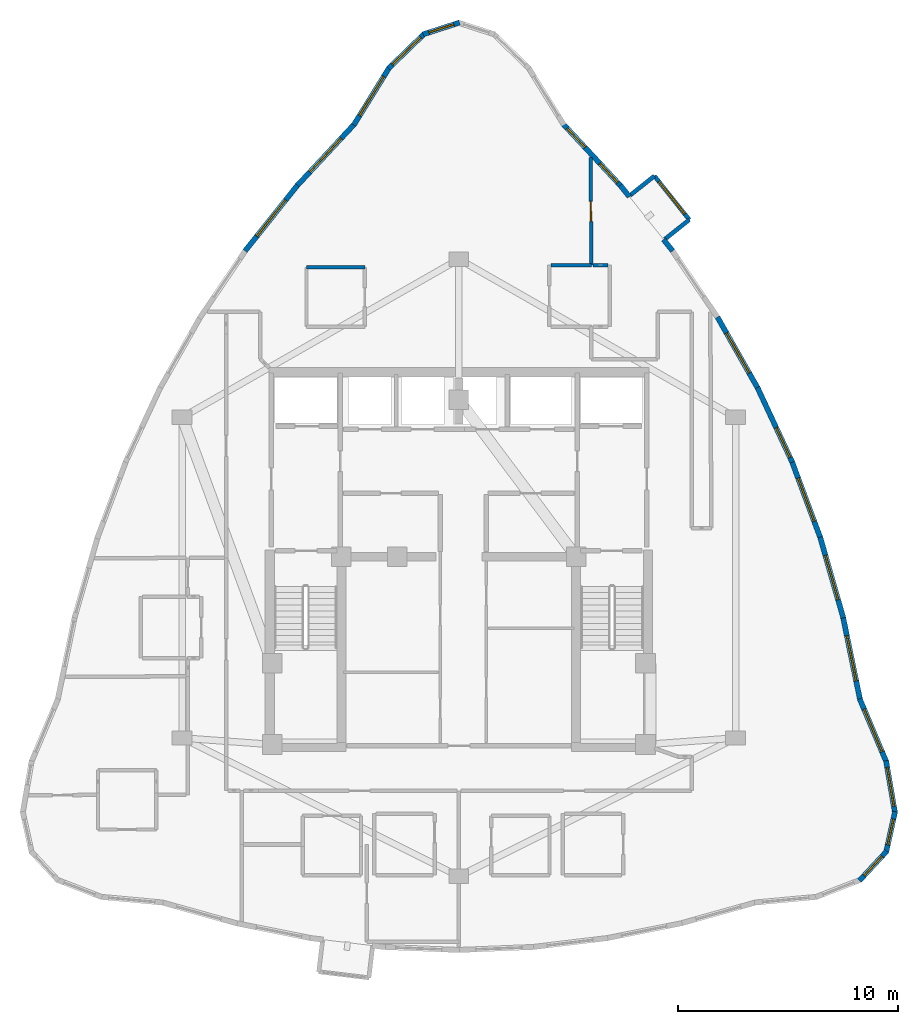
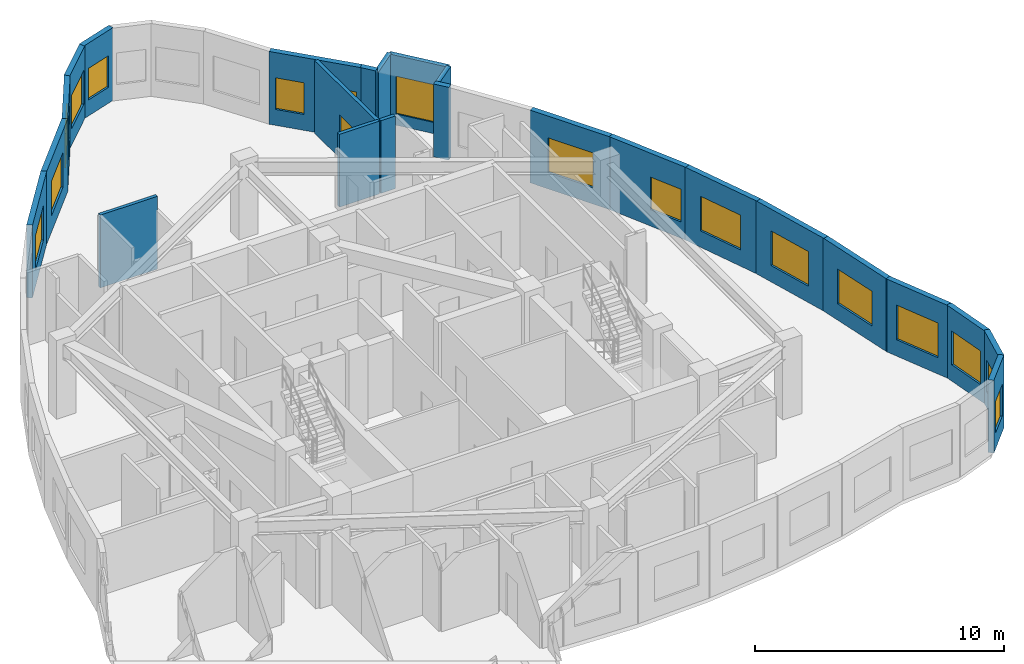
# One storey, part 11 of 13: 24 walls, 17 windows, 1 door, 18 openings.
"""IFC4 building model written with IfcOpenShell, lengths in metres."""

from ifc_helpers import new_model, si_unit, direction, frame, frame_2d, origin, place, context, subcontext, project, spatial, rectangle, extrude, material, layer, layer_set, type_object, element, fill, save


model = new_model("IFC4")

# Units and contexts
model_context = context("Model", 3, precision=1e-05, world=origin(), true_north=direction((0.0, 1.0)))
body_context = subcontext(model_context, "Body", "Model", "MODEL_VIEW")
ifc_project = project(units=[si_unit("LENGTHUNIT", "METRE"), si_unit("AREAUNIT", "SQUARE_METRE"), si_unit("VOLUMEUNIT", "CUBIC_METRE"), si_unit("PLANEANGLEUNIT", "RADIAN"), si_unit("MASSUNIT", "GRAM", prefix="KILO")], contexts=[model_context])

# Site, building, storey
site_placement = place(None, origin())
site = spatial("IfcSite", under=ifc_project, at=site_placement, CompositionType="ELEMENT")
building_placement = place(site_placement, origin())
building = spatial("IfcBuilding", under=site, at=building_placement, Name="Miruveldt Soraemaru", CompositionType="ELEMENT")
storey_placement = place(building_placement, frame((0.0, 0.0, 259.699951171875)))
storey = spatial("IfcBuildingStorey", under=building, at=storey_placement, Name="L71", CompositionType="ELEMENT", Elevation=259.699951171875)

# Walls
ifc_material_1 = material(Name="White powder-coated aluminium EN AW-6060 T6", Category="aluminium")
ifc_layer_1 = layer(ifc_material_1, 0.18994140625, Name="White powder-coated aluminium EN AW-6060 T6", Category="aluminium")
ifc_layer_set_1 = layer_set([ifc_layer_1], Name="White powder-coated aluminium EN AW-6060 T6")
wall_type_1 = type_object("IfcWallType", Name="WALL-BAY-ALU190", PredefinedType="SOLIDWALL", material=ifc_layer_set_1)
for number, where, z_axis, x_axis, name in (
    (1, (53.3828125, 58.5087890625, 0.0), (0.0, 0.0, 1.0), (0.781820714191, 0.623503304611, 0.0), "L71 Bay Window Side Cheek 2L"),
    (2, (52.904296875, 61.393798828125, 0.0), (0.0, 0.0, 1.0), (-0.781820714191, -0.623503304611, 0.0), "L71 Bay Window Side Cheek 2R"),
):
    element("IfcWall", number, at=place(storey_placement, frame(where, z_axis=z_axis, x_axis=x_axis)), inside=storey, type_object=wall_type_1, Name=name, PredefinedType="SOLIDWALL", context=body_context, shape_type="SweptSolid", body=[
        extrude(rectangle(XDim=1.4248046875, YDim=0.18994140625, at=frame_2d((0.71240234375, 0.0))), origin(), (0.0, 0.0, 1.0), 3.4150390625),
    ])

# Wall, opening, window
wall_1_placement = place(storey_placement, frame((54.496826171875, 59.397216796875, 0.0), z_axis=(0.0, 0.0, 1.0), x_axis=(-0.623563578344, 0.781772641989, 0.0)))
wall_1 = element("IfcWall", 3, at=wall_1_placement, inside=storey, type_object=wall_type_1, Name="L71 Bay Window Front Frame 2", PredefinedType="SOLIDWALL", context=body_context, shape_type="SweptSolid", body=[
    extrude(rectangle(XDim=2.553955078125, YDim=0.18994140625, at=frame_2d((1.27685546875, 0.0))), origin(), (0.0, 0.0, 1.0), 3.4150390625),
])
opening_1_placement = place(wall_1_placement, frame((0.326904296875, 0.0, 0.550048828125)))
opening_1 = element("IfcOpeningElement", 4, at=opening_1_placement, cuts=wall_1, Name="Opening WN-6", PredefinedType="OPENING", context=body_context, shape_type="SweptSolid", body=[
    extrude(rectangle(XDim=1.89990234375, YDim=1.85009765625, at=frame_2d((0.949951171875, 0.925048828125))), frame((0.0, 0.10498046875, 0.0), z_axis=(0.0, -1.0, 0.0), x_axis=(1.0, 0.0, 0.0)), (0.0, 0.0, 1.0), 0.2099609375),
])
ifc_material_2 = material(Name="Triple low-e insulated glazing", Category="glass")
window_type_1 = type_object("IfcWindowType", Name="WIN-BAYW-1900x1850", PartitioningType="SINGLE_PANEL", PredefinedType="WINDOW", material=ifc_material_2)
window_1_placement = place(opening_1_placement, origin())
window_1 = element("IfcWindow", 5, at=window_1_placement, inside=storey, type_object=window_type_1, Name="L71 Projecting Bay Window 2", OverallHeight=1.85009765625, OverallWidth=1.89990234375, PartitioningType="SINGLE_PANEL", PredefinedType="WINDOW", context=body_context, shape_type="SweptSolid", body=[
    extrude(rectangle(XDim=1.89990234375, YDim=1.85009765625, at=frame_2d((0.949951171875, 0.925048828125))), frame((0.0, 0.030029296875, 0.0), z_axis=(0.0, -1.0, 0.0), x_axis=(1.0, 0.0, 0.0)), (0.0, 0.0, 1.0), 0.06005859375),
])
fill(opening_1, window_1)

ifc_material_3 = material(Name="Precast concrete C45/55 (45 MPa)", Category="concrete")
ifc_layer_2 = layer(ifc_material_3, 0.239990234375, Name="Precast concrete C45/55 (45 MPa)", Category="concrete")
ifc_layer_set_2 = layer_set([ifc_layer_2], Name="Precast concrete C45/55 (45 MPa)")
wall_type_2 = type_object("IfcWallType", Name="WALL-EXT-PC240", PredefinedType="SOLIDWALL", material=ifc_layer_set_2)
wall_2_placement = place(storey_placement, frame((44.033203125, 68.377685546875, 0.0), z_axis=(0.0, 0.0, 1.0), x_axis=(-0.951465057443, -0.307756794343, 0.0)))
wall_2 = element("IfcWall", 6, at=wall_2_placement, inside=storey, type_object=wall_type_2, Name="L71 Precast Concrete Facade Wall 4", PredefinedType="SOLIDWALL", context=body_context, shape_type="SweptSolid", body=[
    extrude(rectangle(XDim=1.740478515625, YDim=0.239990234375, at=frame_2d((0.8701171875, 0.0))), origin(), (0.0, 0.0, 1.0), 3.56494140625),
])
opening_2_placement = place(wall_2_placement, frame((0.27001953125, 0.0, 0.780029296875)))
opening_2 = element("IfcOpeningElement", 7, at=opening_2_placement, cuts=wall_2, Name="Opening WN-4", PredefinedType="OPENING", context=body_context, shape_type="SweptSolid", body=[
    extrude(rectangle(XDim=1.199951171875, YDim=1.550048828125, at=frame_2d((0.60009765625, 0.77490234375))), frame((0.0, 0.1298828125, 0.0), z_axis=(0.0, -1.0, 0.0), x_axis=(1.0, 0.0, 0.0)), (0.0, 0.0, 1.0), 0.260009765625),
])
window_type_2 = type_object("IfcWindowType", Name="WIN-PUNCH-1200x1550", PartitioningType="SINGLE_PANEL", PredefinedType="WINDOW", material=ifc_material_2)
window_2_placement = place(opening_2_placement, origin())
window_2 = element("IfcWindow", 8, at=window_2_placement, inside=storey, type_object=window_type_2, Name="L71 Punched Triple-Glazed Window 04.1", OverallHeight=1.550048828125, OverallWidth=1.199951171875, PartitioningType="SINGLE_PANEL", PredefinedType="WINDOW", context=body_context, shape_type="SweptSolid", body=[
    extrude(rectangle(XDim=1.199951171875, YDim=1.550048828125, at=frame_2d((0.60009765625, 0.77490234375))), frame((0.0, 0.030029296875, 0.0), z_axis=(0.0, -1.0, 0.0), x_axis=(1.0, 0.0, 0.0)), (0.0, 0.0, 1.0), 0.06005859375),
])
fill(opening_2, window_2)

wall_3_placement = place(storey_placement, frame((42.435546875, 67.877197265625, 0.0), z_axis=(0.0, 0.0, 1.0), x_axis=(-0.717766041492, -0.696284359785, 0.0)))
wall_3 = element("IfcWall", 9, at=wall_3_placement, inside=storey, type_object=wall_type_2, Name="L71 Precast Concrete Facade Wall 5", PredefinedType="SOLIDWALL", context=body_context, shape_type="SweptSolid", body=[
    extrude(rectangle(XDim=2.284423828125, YDim=0.239990234375, at=frame_2d((1.14208984375, 0.0))), origin(), (0.0, 0.0, 1.0), 3.56494140625),
])
opening_3_placement = place(wall_3_placement, frame((0.241943359375, 0.0, 0.800048828125)))
opening_3 = element("IfcOpeningElement", 10, at=opening_3_placement, cuts=wall_3, Name="Opening WN-2", PredefinedType="OPENING", context=body_context, shape_type="SweptSolid", body=[
    extrude(rectangle(XDim=1.800048828125, YDim=1.64990234375, at=frame_2d((0.89990234375, 0.824951171875))), frame((0.0, 0.1298828125, 0.0), z_axis=(0.0, -1.0, 0.0), x_axis=(1.0, 0.0, 0.0)), (0.0, 0.0, 1.0), 0.260009765625),
])
window_type_3 = type_object("IfcWindowType", Name="WIN-PUNCH-1800x1650", PartitioningType="SINGLE_PANEL", PredefinedType="WINDOW", material=ifc_material_2)
window_3_placement = place(opening_3_placement, origin())
window_3 = element("IfcWindow", 11, at=window_3_placement, inside=storey, type_object=window_type_3, Name="L71 Punched Triple-Glazed Window 05.1", OverallHeight=1.64990234375, OverallWidth=1.800048828125, PartitioningType="SINGLE_PANEL", PredefinedType="WINDOW", context=body_context, shape_type="SweptSolid", body=[
    extrude(rectangle(XDim=1.800048828125, YDim=1.64990234375, at=frame_2d((0.89990234375, 0.824951171875))), frame((0.0, 0.030029296875, 0.0), z_axis=(0.0, -1.0, 0.0), x_axis=(1.0, 0.0, 0.0)), (0.0, 0.0, 1.0), 0.06005859375),
])
fill(opening_3, window_3)

wall_4_placement = place(storey_placement, frame((40.83935546875, 66.3408203125, 0.0), z_axis=(0.0, 0.0, 1.0), x_axis=(-0.52607453674, -0.850438464437, 0.0)))
wall_4 = element("IfcWall", 12, at=wall_4_placement, inside=storey, type_object=wall_type_2, Name="L71 Precast Concrete Facade Wall 6", PredefinedType="SOLIDWALL", context=body_context, shape_type="SweptSolid", body=[
    extrude(rectangle(XDim=3.09130859375, YDim=0.239990234375, at=frame_2d((1.545654296875, 0.0))), origin(), (0.0, 0.0, 1.0), 3.56494140625),
])
opening_4_placement = place(wall_4_placement, frame((0.49609375, 0.0, 0.800048828125)))
opening_4 = element("IfcOpeningElement", 13, at=opening_4_placement, cuts=wall_4, Name="Opening WN-1", PredefinedType="OPENING", context=body_context, shape_type="SweptSolid", body=[
    extrude(rectangle(XDim=2.10009765625, YDim=1.699951171875, at=frame_2d((1.050048828125, 0.85009765625))), frame((0.0, 0.1298828125, 0.0), z_axis=(0.0, -1.0, 0.0), x_axis=(1.0, 0.0, 0.0)), (0.0, 0.0, 1.0), 0.260009765625),
])
window_type_4 = type_object("IfcWindowType", Name="WIN-PUNCH-2100x1700", PartitioningType="SINGLE_PANEL", PredefinedType="WINDOW", material=ifc_material_2)
window_4_placement = place(opening_4_placement, origin())
window_4 = element("IfcWindow", 14, at=window_4_placement, inside=storey, type_object=window_type_4, Name="L71 Punched Triple-Glazed Window 06.1", OverallHeight=1.699951171875, OverallWidth=2.10009765625, PartitioningType="SINGLE_PANEL", PredefinedType="WINDOW", context=body_context, shape_type="SweptSolid", body=[
    extrude(rectangle(XDim=2.10009765625, YDim=1.699951171875, at=frame_2d((1.050048828125, 0.85009765625))), frame((0.0, 0.030029296875, 0.0), z_axis=(0.0, -1.0, 0.0), x_axis=(1.0, 0.0, 0.0)), (0.0, 0.0, 1.0), 0.06005859375),
])
fill(opening_4, window_4)

wall_5_placement = place(storey_placement, frame((39.25537109375, 63.76708984375, 0.0), z_axis=(0.0, 0.0, 1.0), x_axis=(-0.68090304279, -0.732373570194, 0.0)))
wall_5 = element("IfcWall", 15, at=wall_5_placement, inside=storey, type_object=wall_type_2, Name="L71 Precast Concrete Facade Wall 7", PredefinedType="SOLIDWALL", context=body_context, shape_type="SweptSolid", body=[
    extrude(rectangle(XDim=3.894287109375, YDim=0.239990234375, at=frame_2d((1.947265625, 0.0))), origin(), (0.0, 0.0, 1.0), 3.56494140625),
])
opening_5_placement = place(wall_5_placement, frame((0.89697265625, 0.0, 0.800048828125)))
opening_5 = element("IfcOpeningElement", 16, at=opening_5_placement, cuts=wall_5, Name="Opening WN-1", PredefinedType="OPENING", context=body_context, shape_type="SweptSolid", body=[
    extrude(rectangle(XDim=2.10009765625, YDim=1.699951171875, at=frame_2d((1.050048828125, 0.85009765625))), frame((0.0, 0.1298828125, 0.0), z_axis=(0.0, -1.0, 0.0), x_axis=(1.0, 0.0, 0.0)), (0.0, 0.0, 1.0), 0.260009765625),
])
window_5_placement = place(opening_5_placement, origin())
window_5 = element("IfcWindow", 17, at=window_5_placement, inside=storey, type_object=window_type_4, Name="L71 Punched Triple-Glazed Window 07.1", OverallHeight=1.699951171875, OverallWidth=2.10009765625, PartitioningType="SINGLE_PANEL", PredefinedType="WINDOW", context=body_context, shape_type="SweptSolid", body=[
    extrude(rectangle(XDim=2.10009765625, YDim=1.699951171875, at=frame_2d((1.050048828125, 0.85009765625))), frame((0.0, 0.030029296875, 0.0), z_axis=(0.0, -1.0, 0.0), x_axis=(1.0, 0.0, 0.0)), (0.0, 0.0, 1.0), 0.06005859375),
])
fill(opening_5, window_5)

wall_6_placement = place(storey_placement, frame((36.6494140625, 60.968017578125, 0.0), z_axis=(0.0, 0.0, 1.0), x_axis=(-0.623604906823, -0.781739675459, 0.0)))
wall_6 = element("IfcWall", 18, at=wall_6_placement, inside=storey, type_object=wall_type_2, Name="L71 Precast Concrete Facade Wall 8", PredefinedType="SOLIDWALL", context=body_context, shape_type="SweptSolid", body=[
    extrude(rectangle(XDim=3.82568359375, YDim=0.239990234375, at=frame_2d((1.912841796875, 0.0))), origin(), (0.0, 0.0, 1.0), 3.56494140625),
])
opening_6_placement = place(wall_6_placement, frame((0.863037109375, 0.0, 0.800048828125)))
opening_6 = element("IfcOpeningElement", 19, at=opening_6_placement, cuts=wall_6, Name="Opening WN-1", PredefinedType="OPENING", context=body_context, shape_type="SweptSolid", body=[
    extrude(rectangle(XDim=2.10009765625, YDim=1.699951171875, at=frame_2d((1.050048828125, 0.85009765625))), frame((0.0, 0.1298828125, 0.0), z_axis=(0.0, -1.0, 0.0), x_axis=(1.0, 0.0, 0.0)), (0.0, 0.0, 1.0), 0.260009765625),
])
window_6_placement = place(opening_6_placement, origin())
window_6 = element("IfcWindow", 20, at=window_6_placement, inside=storey, type_object=window_type_4, Name="L71 Punched Triple-Glazed Window 08.1", OverallHeight=1.699951171875, OverallWidth=2.10009765625, PartitioningType="SINGLE_PANEL", PredefinedType="WINDOW", context=body_context, shape_type="SweptSolid", body=[
    extrude(rectangle(XDim=2.10009765625, YDim=1.699951171875, at=frame_2d((1.050048828125, 0.85009765625))), frame((0.0, 0.030029296875, 0.0), z_axis=(0.0, -1.0, 0.0), x_axis=(1.0, 0.0, 0.0)), (0.0, 0.0, 1.0), 0.06005859375),
])
fill(opening_6, window_6)

wall_7_placement = place(storey_placement, frame((62.243896484375, 29.30615234375, 0.0), z_axis=(0.0, 0.0, 1.0), x_axis=(0.680158207142, 0.733065354015, 0.0)))
wall_7 = element("IfcWall", 21, at=wall_7_placement, inside=storey, type_object=wall_type_2, Name="L71 Precast Concrete Facade Wall 31", PredefinedType="SOLIDWALL", context=body_context, shape_type="SweptSolid", body=[
    extrude(rectangle(XDim=1.82275390625, YDim=0.239990234375, at=frame_2d((0.911376953125, 0.0))), origin(), (0.0, 0.0, 1.0), 3.56494140625),
])
opening_7_placement = place(wall_7_placement, frame((0.31103515625, 0.0, 0.780029296875)))
opening_7 = element("IfcOpeningElement", 22, at=opening_7_placement, cuts=wall_7, Name="Opening WN-4", PredefinedType="OPENING", context=body_context, shape_type="SweptSolid", body=[
    extrude(rectangle(XDim=1.199951171875, YDim=1.550048828125, at=frame_2d((0.60009765625, 0.77490234375))), frame((0.0, 0.1298828125, 0.0), z_axis=(0.0, -1.0, 0.0), x_axis=(1.0, 0.0, 0.0)), (0.0, 0.0, 1.0), 0.260009765625),
])
window_7_placement = place(opening_7_placement, origin())
window_7 = element("IfcWindow", 23, at=window_7_placement, inside=storey, type_object=window_type_2, Name="L71 Punched Triple-Glazed Window 31.1", OverallHeight=1.550048828125, OverallWidth=1.199951171875, PartitioningType="SINGLE_PANEL", PredefinedType="WINDOW", context=body_context, shape_type="SweptSolid", body=[
    extrude(rectangle(XDim=1.199951171875, YDim=1.550048828125, at=frame_2d((0.60009765625, 0.77490234375))), frame((0.0, 0.030029296875, 0.0), z_axis=(0.0, -1.0, 0.0), x_axis=(1.0, 0.0, 0.0)), (0.0, 0.0, 1.0), 0.06005859375),
])
fill(opening_7, window_7)

wall_8_placement = place(storey_placement, frame((63.452392578125, 30.58251953125, 0.0), z_axis=(0.0, 0.0, 1.0), x_axis=(0.215794628874, 0.976438773374, 0.0)))
wall_8 = element("IfcWall", 24, at=wall_8_placement, inside=storey, type_object=wall_type_2, Name="L71 Precast Concrete Facade Wall 32", PredefinedType="SOLIDWALL", context=body_context, shape_type="SweptSolid", body=[
    extrude(rectangle(XDim=1.912109375, YDim=0.239990234375, at=frame_2d((0.9560546875, 0.0))), origin(), (0.0, 0.0, 1.0), 3.56494140625),
])
opening_8_placement = place(wall_8_placement, frame((0.35595703125, 0.0, 0.780029296875)))
opening_8 = element("IfcOpeningElement", 25, at=opening_8_placement, cuts=wall_8, Name="Opening WN-4", PredefinedType="OPENING", context=body_context, shape_type="SweptSolid", body=[
    extrude(rectangle(XDim=1.199951171875, YDim=1.550048828125, at=frame_2d((0.60009765625, 0.77490234375))), frame((0.0, 0.1298828125, 0.0), z_axis=(0.0, -1.0, 0.0), x_axis=(1.0, 0.0, 0.0)), (0.0, 0.0, 1.0), 0.260009765625),
])
window_8_placement = place(opening_8_placement, origin())
window_8 = element("IfcWindow", 26, at=window_8_placement, inside=storey, type_object=window_type_2, Name="L71 Punched Triple-Glazed Window 32.1", OverallHeight=1.550048828125, OverallWidth=1.199951171875, PartitioningType="SINGLE_PANEL", PredefinedType="WINDOW", context=body_context, shape_type="SweptSolid", body=[
    extrude(rectangle(XDim=1.199951171875, YDim=1.550048828125, at=frame_2d((0.60009765625, 0.77490234375))), frame((0.0, 0.030029296875, 0.0), z_axis=(0.0, -1.0, 0.0), x_axis=(1.0, 0.0, 0.0)), (0.0, 0.0, 1.0), 0.06005859375),
])
fill(opening_8, window_8)

wall_9_placement = place(storey_placement, frame((63.86328125, 32.380859375, 0.0), z_axis=(0.0, 0.0, 1.0), x_axis=(-0.169328349246, 0.98555969385, 0.0)))
wall_9 = element("IfcWall", 27, at=wall_9_placement, inside=storey, type_object=wall_type_2, Name="L71 Precast Concrete Facade Wall 33", PredefinedType="SOLIDWALL", context=body_context, shape_type="SweptSolid", body=[
    extrude(rectangle(XDim=2.41650390625, YDim=0.239990234375, at=frame_2d((1.208251953125, 0.0))), origin(), (0.0, 0.0, 1.0), 3.56494140625),
])
opening_9_placement = place(wall_9_placement, frame((0.30810546875, 0.0, 0.800048828125)))
opening_9 = element("IfcOpeningElement", 28, at=opening_9_placement, cuts=wall_9, Name="Opening WN-2", PredefinedType="OPENING", context=body_context, shape_type="SweptSolid", body=[
    extrude(rectangle(XDim=1.800048828125, YDim=1.64990234375, at=frame_2d((0.89990234375, 0.824951171875))), frame((0.0, 0.1298828125, 0.0), z_axis=(0.0, -1.0, 0.0), x_axis=(1.0, 0.0, 0.0)), (0.0, 0.0, 1.0), 0.260009765625),
])
window_9_placement = place(opening_9_placement, origin())
window_9 = element("IfcWindow", 29, at=window_9_placement, inside=storey, type_object=window_type_3, Name="L71 Punched Triple-Glazed Window 33.1", OverallHeight=1.64990234375, OverallWidth=1.800048828125, PartitioningType="SINGLE_PANEL", PredefinedType="WINDOW", context=body_context, shape_type="SweptSolid", body=[
    extrude(rectangle(XDim=1.800048828125, YDim=1.64990234375, at=frame_2d((0.89990234375, 0.824951171875))), frame((0.0, 0.030029296875, 0.0), z_axis=(0.0, -1.0, 0.0), x_axis=(1.0, 0.0, 0.0)), (0.0, 0.0, 1.0), 0.06005859375),
])
fill(opening_9, window_9)

wall_10_placement = place(storey_placement, frame((63.473388671875, 34.69580078125, 0.0), z_axis=(0.0, 0.0, 1.0), x_axis=(-0.388606577421, 0.921403781187, 0.0)))
wall_10 = element("IfcWall", 30, at=wall_10_placement, inside=storey, type_object=wall_type_2, Name="L71 Precast Concrete Facade Wall 34", PredefinedType="SOLIDWALL", context=body_context, shape_type="SweptSolid", body=[
    extrude(rectangle(XDim=3.137451171875, YDim=0.239990234375, at=frame_2d((1.56884765625, 0.0))), origin(), (0.0, 0.0, 1.0), 3.56494140625),
])
opening_10_placement = place(wall_10_placement, frame((0.51904296875, 0.0, 0.800048828125)))
opening_10 = element("IfcOpeningElement", 31, at=opening_10_placement, cuts=wall_10, Name="Opening WN-1", PredefinedType="OPENING", context=body_context, shape_type="SweptSolid", body=[
    extrude(rectangle(XDim=2.10009765625, YDim=1.699951171875, at=frame_2d((1.050048828125, 0.85009765625))), frame((0.0, 0.1298828125, 0.0), z_axis=(0.0, -1.0, 0.0), x_axis=(1.0, 0.0, 0.0)), (0.0, 0.0, 1.0), 0.260009765625),
])
window_10_placement = place(opening_10_placement, origin())
window_10 = element("IfcWindow", 32, at=window_10_placement, inside=storey, type_object=window_type_4, Name="L71 Punched Triple-Glazed Window 34.1", OverallHeight=1.699951171875, OverallWidth=2.10009765625, PartitioningType="SINGLE_PANEL", PredefinedType="WINDOW", context=body_context, shape_type="SweptSolid", body=[
    extrude(rectangle(XDim=2.10009765625, YDim=1.699951171875, at=frame_2d((1.050048828125, 0.85009765625))), frame((0.0, 0.030029296875, 0.0), z_axis=(0.0, -1.0, 0.0), x_axis=(1.0, 0.0, 0.0)), (0.0, 0.0, 1.0), 0.06005859375),
])
fill(opening_10, window_10)

wall_11_placement = place(storey_placement, frame((62.27490234375, 37.52001953125, 0.0), z_axis=(0.0, 0.0, 1.0), x_axis=(-0.201598089636, 0.979468330399, 0.0)))
wall_11 = element("IfcWall", 33, at=wall_11_placement, inside=storey, type_object=wall_type_2, Name="L71 Precast Concrete Facade Wall 35", PredefinedType="SOLIDWALL", context=body_context, shape_type="SweptSolid", body=[
    extrude(rectangle(XDim=3.894775390625, YDim=0.239990234375, at=frame_2d((1.947265625, 0.0))), origin(), (0.0, 0.0, 1.0), 3.56494140625),
])
opening_11_placement = place(wall_11_placement, frame((0.89697265625, 0.0, 0.800048828125)))
opening_11 = element("IfcOpeningElement", 34, at=opening_11_placement, cuts=wall_11, Name="Opening WN-1", PredefinedType="OPENING", context=body_context, shape_type="SweptSolid", body=[
    extrude(rectangle(XDim=2.10009765625, YDim=1.699951171875, at=frame_2d((1.050048828125, 0.85009765625))), frame((0.0, 0.1298828125, 0.0), z_axis=(0.0, -1.0, 0.0), x_axis=(1.0, 0.0, 0.0)), (0.0, 0.0, 1.0), 0.260009765625),
])
window_11_placement = place(opening_11_placement, origin())
window_11 = element("IfcWindow", 35, at=window_11_placement, inside=storey, type_object=window_type_4, Name="L71 Punched Triple-Glazed Window 35.1", OverallHeight=1.699951171875, OverallWidth=2.10009765625, PartitioningType="SINGLE_PANEL", PredefinedType="WINDOW", context=body_context, shape_type="SweptSolid", body=[
    extrude(rectangle(XDim=2.10009765625, YDim=1.699951171875, at=frame_2d((1.050048828125, 0.85009765625))), frame((0.0, 0.030029296875, 0.0), z_axis=(0.0, -1.0, 0.0), x_axis=(1.0, 0.0, 0.0)), (0.0, 0.0, 1.0), 0.06005859375),
])
fill(opening_11, window_11)

wall_12_placement = place(storey_placement, frame((61.506591796875, 41.2666015625, 0.0), z_axis=(0.0, 0.0, 1.0), x_axis=(-0.274982401426, 0.961449259663, 0.0)))
wall_12 = element("IfcWall", 36, at=wall_12_placement, inside=storey, type_object=wall_type_2, Name="L71 Precast Concrete Facade Wall 36", PredefinedType="SOLIDWALL", context=body_context, shape_type="SweptSolid", body=[
    extrude(rectangle(XDim=3.82568359375, YDim=0.239990234375, at=frame_2d((1.912841796875, 0.0))), origin(), (0.0, 0.0, 1.0), 3.56494140625),
])
opening_12_placement = place(wall_12_placement, frame((0.863037109375, 0.0, 0.800048828125)))
opening_12 = element("IfcOpeningElement", 37, at=opening_12_placement, cuts=wall_12, Name="Opening WN-1", PredefinedType="OPENING", context=body_context, shape_type="SweptSolid", body=[
    extrude(rectangle(XDim=2.10009765625, YDim=1.699951171875, at=frame_2d((1.050048828125, 0.85009765625))), frame((0.0, 0.1298828125, 0.0), z_axis=(0.0, -1.0, 0.0), x_axis=(1.0, 0.0, 0.0)), (0.0, 0.0, 1.0), 0.260009765625),
])
window_12_placement = place(opening_12_placement, origin())
window_12 = element("IfcWindow", 38, at=window_12_placement, inside=storey, type_object=window_type_4, Name="L71 Punched Triple-Glazed Window 36.1", OverallHeight=1.699951171875, OverallWidth=2.10009765625, PartitioningType="SINGLE_PANEL", PredefinedType="WINDOW", context=body_context, shape_type="SweptSolid", body=[
    extrude(rectangle(XDim=2.10009765625, YDim=1.699951171875, at=frame_2d((1.050048828125, 0.85009765625))), frame((0.0, 0.030029296875, 0.0), z_axis=(0.0, -1.0, 0.0), x_axis=(1.0, 0.0, 0.0)), (0.0, 0.0, 1.0), 0.06005859375),
])
fill(opening_12, window_12)

wall_13_placement = place(storey_placement, frame((60.476318359375, 44.87841796875, 0.0), z_axis=(0.0, 0.0, 1.0), x_axis=(-0.348984438281, 0.937128519381, 0.0)))
wall_13 = element("IfcWall", 39, at=wall_13_placement, inside=storey, type_object=wall_type_2, Name="L71 Precast Concrete Facade Wall 37", PredefinedType="SOLIDWALL", context=body_context, shape_type="SweptSolid", body=[
    extrude(rectangle(XDim=3.779052734375, YDim=0.239990234375, at=frame_2d((1.8896484375, 0.0))), origin(), (0.0, 0.0, 1.0), 3.56494140625),
])
opening_13_placement = place(wall_13_placement, frame((0.840087890625, 0.0, 0.800048828125)))
opening_13 = element("IfcOpeningElement", 40, at=opening_13_placement, cuts=wall_13, Name="Opening WN-1", PredefinedType="OPENING", context=body_context, shape_type="SweptSolid", body=[
    extrude(rectangle(XDim=2.10009765625, YDim=1.699951171875, at=frame_2d((1.050048828125, 0.85009765625))), frame((0.0, 0.1298828125, 0.0), z_axis=(0.0, -1.0, 0.0), x_axis=(1.0, 0.0, 0.0)), (0.0, 0.0, 1.0), 0.260009765625),
])
window_13_placement = place(opening_13_placement, origin())
window_13 = element("IfcWindow", 41, at=window_13_placement, inside=storey, type_object=window_type_4, Name="L71 Punched Triple-Glazed Window 37.1", OverallHeight=1.699951171875, OverallWidth=2.10009765625, PartitioningType="SINGLE_PANEL", PredefinedType="WINDOW", context=body_context, shape_type="SweptSolid", body=[
    extrude(rectangle(XDim=2.10009765625, YDim=1.699951171875, at=frame_2d((1.050048828125, 0.85009765625))), frame((0.0, 0.030029296875, 0.0), z_axis=(0.0, -1.0, 0.0), x_axis=(1.0, 0.0, 0.0)), (0.0, 0.0, 1.0), 0.06005859375),
])
fill(opening_13, window_13)

wall_14_placement = place(storey_placement, frame((59.184326171875, 48.355224609375, 0.0), z_axis=(0.0, 0.0, 1.0), x_axis=(-0.422287495825, 0.906461952246, 0.0)))
wall_14 = element("IfcWall", 42, at=wall_14_placement, inside=storey, type_object=wall_type_2, Name="L71 Precast Concrete Facade Wall 38", PredefinedType="SOLIDWALL", context=body_context, shape_type="SweptSolid", body=[
    extrude(rectangle(XDim=3.755615234375, YDim=0.239990234375, at=frame_2d((1.8779296875, 0.0))), origin(), (0.0, 0.0, 1.0), 3.56494140625),
])
opening_14_placement = place(wall_14_placement, frame((0.237060546875, 0.0, 0.800048828125)))
opening_14 = element("IfcOpeningElement", 43, at=opening_14_placement, cuts=wall_14, Name="Opening WN-3", PredefinedType="OPENING", context=body_context, shape_type="SweptSolid", body=[
    extrude(rectangle(XDim=1.5, YDim=1.60009765625, at=frame_2d((0.75, 0.800048828125))), frame((0.0, 0.1298828125, 0.0), z_axis=(0.0, -1.0, 0.0), x_axis=(1.0, 0.0, 0.0)), (0.0, 0.0, 1.0), 0.260009765625),
])
window_type_5 = type_object("IfcWindowType", Name="WIN-PUNCH-1500x1600", PartitioningType="SINGLE_PANEL", PredefinedType="WINDOW", material=ifc_material_2)
window_14_placement = place(opening_14_placement, origin())
window_14 = element("IfcWindow", 44, at=window_14_placement, inside=storey, type_object=window_type_5, Name="L71 Punched Triple-Glazed Window 38.1", OverallHeight=1.60009765625, OverallWidth=1.5, PartitioningType="SINGLE_PANEL", PredefinedType="WINDOW", context=body_context, shape_type="SweptSolid", body=[
    extrude(rectangle(XDim=1.5, YDim=1.60009765625, at=frame_2d((0.75, 0.800048828125))), frame((0.0, 0.030029296875, 0.0), z_axis=(0.0, -1.0, 0.0), x_axis=(1.0, 0.0, 0.0)), (0.0, 0.0, 1.0), 0.06005859375),
])
fill(opening_14, window_14)

wall_15_placement = place(storey_placement, frame((57.63037109375, 51.697509765625, 0.0), z_axis=(0.0, 0.0, 1.0), x_axis=(-0.493356990669, 0.869826925174, 0.0)))
wall_15 = element("IfcWall", 45, at=wall_15_placement, inside=storey, type_object=wall_type_2, Name="L71 Precast Concrete Facade Wall 39", PredefinedType="SOLIDWALL", context=body_context, shape_type="SweptSolid", body=[
    extrude(rectangle(XDim=3.75537109375, YDim=0.239990234375, at=frame_2d((1.877685546875, 0.0))), origin(), (0.0, 0.0, 1.0), 3.56494140625),
])
opening_15_placement = place(wall_15_placement, frame((0.827880859375, 0.0, 0.800048828125)))
opening_15 = element("IfcOpeningElement", 46, at=opening_15_placement, cuts=wall_15, Name="Opening WN-1", PredefinedType="OPENING", context=body_context, shape_type="SweptSolid", body=[
    extrude(rectangle(XDim=2.10009765625, YDim=1.699951171875, at=frame_2d((1.050048828125, 0.85009765625))), frame((0.0, 0.1298828125, 0.0), z_axis=(0.0, -1.0, 0.0), x_axis=(1.0, 0.0, 0.0)), (0.0, 0.0, 1.0), 0.260009765625),
])
window_15_placement = place(opening_15_placement, origin())
window_15 = element("IfcWindow", 47, at=window_15_placement, inside=storey, type_object=window_type_4, Name="L71 Punched Triple-Glazed Window 39.1", OverallHeight=1.699951171875, OverallWidth=2.10009765625, PartitioningType="SINGLE_PANEL", PredefinedType="WINDOW", context=body_context, shape_type="SweptSolid", body=[
    extrude(rectangle(XDim=2.10009765625, YDim=1.699951171875, at=frame_2d((1.050048828125, 0.85009765625))), frame((0.0, 0.030029296875, 0.0), z_axis=(0.0, -1.0, 0.0), x_axis=(1.0, 0.0, 0.0)), (0.0, 0.0, 1.0), 0.06005859375),
])
fill(opening_15, window_15)

# Walls
for number, where, z_axis, x_axis, name in (
    (48, (53.736328125, 57.977294921875, 0.0), (0.0, 0.0, 1.0), (-0.623441993502, 0.781869605969, 0.0), "L71 Precast Pier Wall 41A"),
    (49, (51.765869140625, 60.447509765625, 0.0), (0.0, 0.0, 1.0), (-0.623666106401, 0.781690851761, 0.0), "L71 Precast Pier Wall 41B"),
):
    element("IfcWall", number, at=place(storey_placement, frame(where, z_axis=z_axis, x_axis=x_axis)), inside=storey, type_object=wall_type_2, Name=name, PredefinedType="SOLIDWALL", context=body_context, shape_type="SweptSolid", body=[
        extrude(rectangle(XDim=0.665771484375, YDim=0.239990234375, at=frame_2d((0.3330078125, 0.0))), origin(), (0.0, 0.0, 1.0), 3.56494140625),
    ])

# Wall, openings, windows
wall_16_placement = place(storey_placement, frame((51.396240234375, 60.9150390625, 0.0), z_axis=(0.0, 0.0, 1.0), x_axis=(-0.68090304279, 0.732373570194, 0.0)))
wall_16 = element("IfcWall", 50, at=wall_16_placement, inside=storey, type_object=wall_type_2, Name="L71 Precast Concrete Facade Wall 42", PredefinedType="SOLIDWALL", context=body_context, shape_type="SweptSolid", body=[
    extrude(rectangle(XDim=3.894287109375, YDim=0.239990234375, at=frame_2d((1.947265625, 0.0))), origin(), (0.0, 0.0, 1.0), 3.56494140625),
])
opening_16_placement = place(wall_16_placement, frame((0.237060546875, 0.0, 0.780029296875)))
opening_16 = element("IfcOpeningElement", 51, at=opening_16_placement, cuts=wall_16, Name="Opening WN-4", PredefinedType="OPENING", context=body_context, shape_type="SweptSolid", body=[
    extrude(rectangle(XDim=1.199951171875, YDim=1.550048828125, at=frame_2d((0.60009765625, 0.77490234375))), frame((0.0, 0.1298828125, 0.0), z_axis=(0.0, -1.0, 0.0), x_axis=(1.0, 0.0, 0.0)), (0.0, 0.0, 1.0), 0.260009765625),
])
opening_17_placement = place(wall_16_placement, frame((2.424072265625, 0.0, 0.780029296875)))
opening_17 = element("IfcOpeningElement", 52, at=opening_17_placement, cuts=wall_16, Name="Opening WN-4", PredefinedType="OPENING", context=body_context, shape_type="SweptSolid", body=[
    extrude(rectangle(XDim=1.199951171875, YDim=1.550048828125, at=frame_2d((0.60009765625, 0.77490234375))), frame((0.0, 0.1298828125, 0.0), z_axis=(0.0, -1.0, 0.0), x_axis=(1.0, 0.0, 0.0)), (0.0, 0.0, 1.0), 0.260009765625),
])
window_16_placement = place(opening_16_placement, origin())
window_16 = element("IfcWindow", 53, at=window_16_placement, inside=storey, type_object=window_type_2, Name="L71 Punched Triple-Glazed Window 42.1", OverallHeight=1.550048828125, OverallWidth=1.199951171875, PartitioningType="SINGLE_PANEL", PredefinedType="WINDOW", context=body_context, shape_type="SweptSolid", body=[
    extrude(rectangle(XDim=1.199951171875, YDim=1.550048828125, at=frame_2d((0.60009765625, 0.77490234375))), frame((0.0, 0.030029296875, 0.0), z_axis=(0.0, -1.0, 0.0), x_axis=(1.0, 0.0, 0.0)), (0.0, 0.0, 1.0), 0.06005859375),
])
fill(opening_16, window_16)
window_17_placement = place(opening_17_placement, origin())
window_17 = element("IfcWindow", 54, at=window_17_placement, inside=storey, type_object=window_type_2, Name="L71 Punched Triple-Glazed Window 42.2", OverallHeight=1.550048828125, OverallWidth=1.199951171875, PartitioningType="SINGLE_PANEL", PredefinedType="WINDOW", context=body_context, shape_type="SweptSolid", body=[
    extrude(rectangle(XDim=1.199951171875, YDim=1.550048828125, at=frame_2d((0.60009765625, 0.77490234375))), frame((0.0, 0.030029296875, 0.0), z_axis=(0.0, -1.0, 0.0), x_axis=(1.0, 0.0, 0.0)), (0.0, 0.0, 1.0), 0.06005859375),
])
fill(opening_17, window_17)

# Wall
ifc_material_4 = material(Name="Gypsum plasterboard lining", Category="gypsum")
ifc_layer_3 = layer(ifc_material_4, 0.14990234375, Name="Gypsum plasterboard lining", Category="gypsum")
ifc_layer_set_3 = layer_set([ifc_layer_3], Name="Gypsum plasterboard lining")
wall_type_3 = type_object("IfcWallType", Name="WALL-INT-PLUMB", PredefinedType="PLUMBINGWALL", material=ifc_layer_set_3)
wall_17_placement = place(storey_placement, frame((39.716064453125, 57.22998046875, 0.0), z_axis=(0.0, 0.0, 1.0), x_axis=(-1.0, 0.0, 0.0)))
element("IfcWall", 55, at=wall_17_placement, inside=storey, type_object=wall_type_3, Name="L71 Partition Wall 14", PredefinedType="PLUMBINGWALL", context=body_context, shape_type="SweptSolid", body=[
    extrude(rectangle(XDim=2.650146484375, YDim=0.14990234375, at=frame_2d((1.3251953125, 0.0))), origin(), (0.0, 0.0, 1.0), 3.56494140625),
])

# Wall, opening, door
ifc_material_5 = material(Name="Concrete C40/50 (40 MPa)", Category="concrete")
ifc_layer_4 = layer(ifc_material_5, 0.159912109375, Name="Concrete C40/50 (40 MPa)", Category="concrete")
ifc_layer_set_4 = layer_set([ifc_layer_4], Name="Concrete C40/50 (40 MPa)")
wall_type_4 = type_object("IfcWallType", Name="WALL-INT-RC160", PredefinedType="SOLIDWALL", material=ifc_layer_set_4)
wall_18_placement = place(storey_placement, frame((50.034912109375, 57.330078125, 0.0), z_axis=(0.0, 0.0, 1.0), x_axis=(-0.008131029215, 0.999966942636, 0.0)))
wall_18 = element("IfcWall", 56, at=wall_18_placement, inside=storey, type_object=wall_type_4, Name="L71 Partition Wall 21", PredefinedType="SOLIDWALL", context=body_context, shape_type="SweptSolid", body=[
    extrude(rectangle(XDim=4.894287109375, YDim=0.159912109375, at=frame_2d((2.447265625, 0.0))), origin(), (0.0, 0.0, 1.0), 3.56494140625),
])
opening_18_placement = place(wall_18_placement, frame((1.987060546875, 0.0, 0.0)))
opening_18 = element("IfcOpeningElement", 57, at=opening_18_placement, cuts=wall_18, Name="Opening D3A", PredefinedType="OPENING", context=body_context, shape_type="SweptSolid", body=[
    extrude(rectangle(XDim=0.919921875, YDim=2.10009765625, at=frame_2d((0.4599609375, 1.050048828125))), frame((0.0, 0.08984375, 0.0), z_axis=(0.0, -1.0, 0.0), x_axis=(1.0, 0.0, 0.0)), (0.0, 0.0, 1.0), 0.179931640625),
])
ifc_material_6 = material(Name="Anodised aluminium EN AW-6063 T6", Category="aluminium")
door_type = type_object("IfcDoorType", Name="DOOR-INT-920", OperationType="NOTDEFINED", PredefinedType="DOOR", material=ifc_material_6)
door_placement = place(opening_18_placement, origin())
door = element("IfcDoor", 58, at=door_placement, inside=storey, type_object=door_type, Name="L71 Unit 7101 BD1 Door", OperationType="SINGLE_SWING_RIGHT", OverallHeight=2.10009765625, OverallWidth=0.919921875, PredefinedType="DOOR", context=body_context, shape_type="SweptSolid", body=[
    extrude(rectangle(XDim=0.919921875, YDim=2.10009765625, at=frame_2d((0.4599609375, 1.050048828125))), frame((0.0, 0.02490234375, 0.0), z_axis=(0.0, -1.0, 0.0), x_axis=(1.0, 0.0, 0.0)), (0.0, 0.0, 1.0), 0.050048828125),
])
fill(opening_18, door)

# Walls
wall_19_placement = place(storey_placement, frame((50.044921875, 57.330078125, 0.0), z_axis=(0.0, 0.0, 1.0), x_axis=(-1.0, 0.0, 0.0)))
element("IfcWall", 59, at=wall_19_placement, inside=storey, type_object=wall_type_4, Name="L71 Partition Wall 17", PredefinedType="SOLIDWALL", context=body_context, shape_type="SweptSolid", body=[
    extrude(rectangle(XDim=1.848876953125, YDim=0.159912109375, at=frame_2d((0.92431640625, 0.0))), origin(), (0.0, 0.0, 1.0), 3.56494140625),
])
wall_20_placement = place(storey_placement, frame((50.785888671875, 57.330078125, 0.0), z_axis=(0.0, 0.0, 1.0), x_axis=(-1.0, 0.0, 0.0)))
element("IfcWall", 60, at=wall_20_placement, inside=storey, type_object=wall_type_4, Name="L71 Partition Wall 26", PredefinedType="SOLIDWALL", context=body_context, shape_type="SweptSolid", body=[
    extrude(rectangle(XDim=0.6708984375, YDim=0.159912109375, at=frame_2d((0.33544921875, 0.0))), origin(), (0.0, 0.0, 1.0), 3.56494140625),
])

save(model, "model.ifc")
